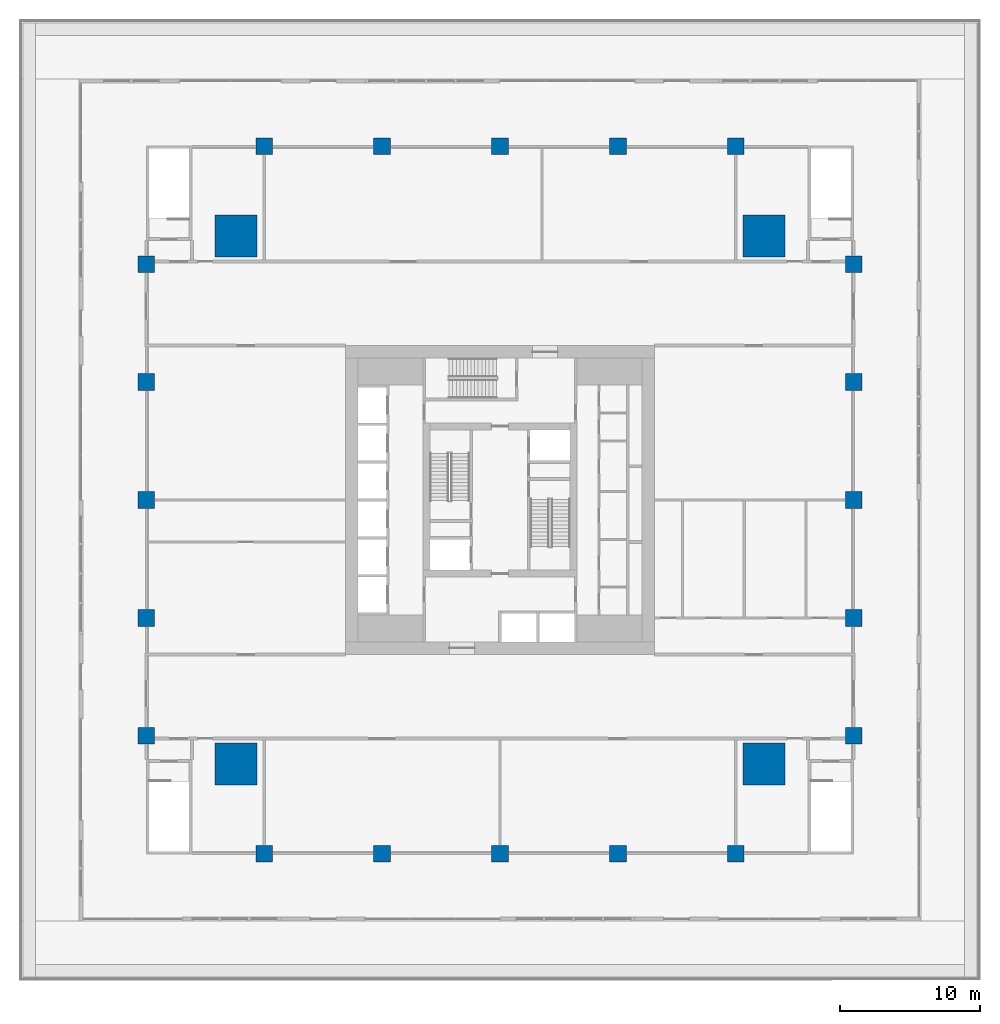
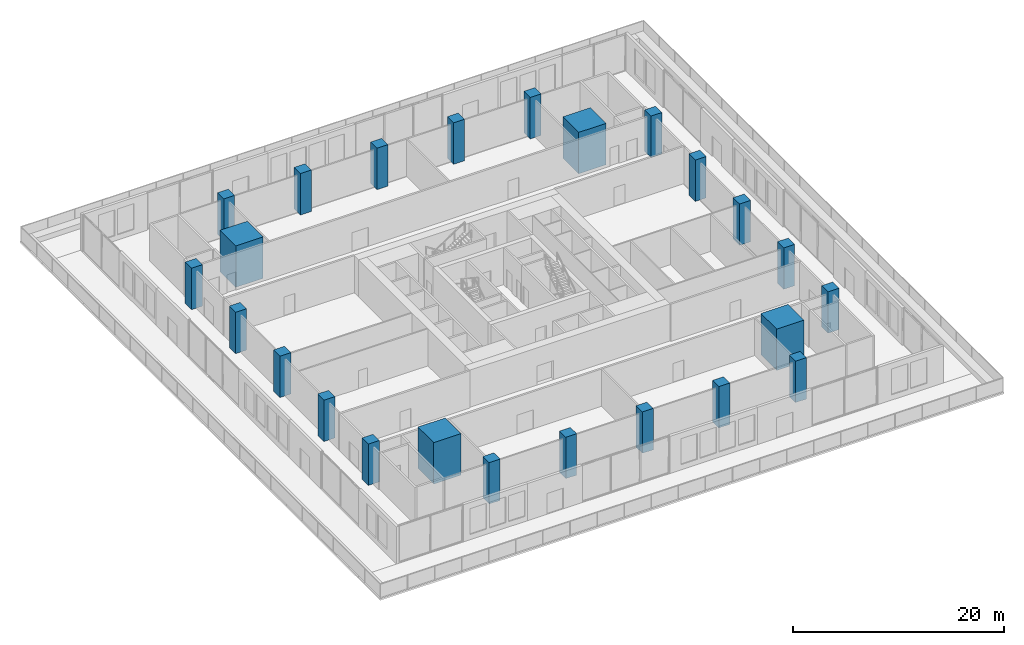
# One storey, part 1 of 22: 24 columns.
"""IFC4 building model written with IfcOpenShell, lengths in metres."""

from ifc_helpers import new_model, si_unit, direction, frame, origin, origin_2d, place, context, subcontext, project, spatial, rectangle, extrude, material, material_profile, profile_set, type_object, element, save


model = new_model("IFC4")

# Units and contexts
model_context = context("Model", 3, precision=1e-05, world=origin(), true_north=direction((0.0, 1.0)))
body_context = subcontext(model_context, "Body", "Model", "MODEL_VIEW")
ifc_project = project(units=[si_unit("LENGTHUNIT", "METRE"), si_unit("AREAUNIT", "SQUARE_METRE"), si_unit("VOLUMEUNIT", "CUBIC_METRE"), si_unit("PLANEANGLEUNIT", "RADIAN"), si_unit("MASSUNIT", "GRAM", prefix="KILO")], contexts=[model_context])

# Site, building, storey
site_placement = place(None, origin())
site = spatial("IfcSite", under=ifc_project, at=site_placement, CompositionType="ELEMENT")
building_placement = place(site_placement, origin())
building = spatial("IfcBuilding", under=site, at=building_placement, Name="Khepri Terraces", CompositionType="ELEMENT")
storey_placement = place(building_placement, frame((0.0, 0.0, 22.199951171875)))
storey = spatial("IfcBuildingStorey", under=building, at=storey_placement, Name="L04", CompositionType="ELEMENT", Elevation=22.199951171875)

# Columns
ifc_material = material(Name="Concrete C80/95", Category="concrete")
ifc_material_profile_1 = material_profile(ifc_material, rectangle(XDim=3.0, YDim=3.0, at=origin_2d()), Name="Concrete C80/95", Category="concrete")
ifc_profile_set_1 = profile_set([ifc_material_profile_1], Name="Concrete C80/95")
column_type_1 = type_object("IfcColumnType", Name="Mega column RC 3000x3000 C80/95", PredefinedType="COLUMN", material=ifc_profile_set_1)
for number, where, z_axis, x_axis, name in (
    (1, (18.800048828125, 18.800048828125, 0.0), (0.0, 0.0, 1.0), (1.0, 0.0, 0.0), "Mega column MEN L04"),
    (2, (18.800048828125, -18.800048828125, 0.0), (0.0, 0.0, 1.0), (1.0, 0.0, 0.0), "Mega column MES L04"),
    (3, (-18.800048828125, 18.800048828125, 0.0), (0.0, 0.0, 1.0), (1.0, 0.0, 0.0), "Mega column MWN L04"),
    (4, (-18.800048828125, -18.800048828125, 0.0), (0.0, 0.0, 1.0), (1.0, 0.0, 0.0), "Mega column MWS L04"),
):
    element("IfcColumn", number, at=place(storey_placement, frame(where, z_axis=z_axis, x_axis=x_axis)), inside=storey, type_object=column_type_1, Name=name, PredefinedType="COLUMN", context=body_context, shape_type="SweptSolid", body=[
        extrude(rectangle(XDim=3.0, YDim=3.0, at=origin_2d()), origin(), (0.0, 0.0, 1.0), 4.800048828125),
    ])
ifc_material_profile_2 = material_profile(ifc_material, rectangle(XDim=1.199951171875, YDim=1.199951171875, at=origin_2d()), Name="Concrete C80/95", Category="concrete")
ifc_profile_set_2 = profile_set([ifc_material_profile_2], Name="Concrete C80/95")
column_type_2 = type_object("IfcColumnType", Name="Tower column RC 1200x1200 C80/95", PredefinedType="COLUMN", material=ifc_profile_set_2)
for number, where, z_axis, x_axis, name in (
    (5, (25.199951171875, 0.0, 0.0), (0.0, 0.0, 1.0), (1.0, 0.0, 0.0), "Perimeter column PE+000a L04"),
    (6, (25.199951171875, 8.39990234375, 0.0), (0.0, 0.0, 1.0), (1.0, 0.0, 0.0), "Perimeter column PE+084a L04"),
    (7, (25.199951171875, 16.800048828125, 0.0), (0.0, 0.0, 1.0), (1.0, 0.0, 0.0), "Perimeter column PE+168a L04"),
    (8, (25.199951171875, -8.39990234375, 0.0), (0.0, 0.0, 1.0), (1.0, 0.0, 0.0), "Perimeter column PE-084a L04"),
    (9, (25.199951171875, -16.800048828125, 0.0), (0.0, 0.0, 1.0), (1.0, 0.0, 0.0), "Perimeter column PE-168a L04"),
    (10, (0.0, 25.199951171875, 0.0), (0.0, 0.0, 1.0), (1.0, 0.0, 0.0), "Perimeter column PN+000a L04"),
    (11, (-8.39990234375, 25.199951171875, 0.0), (0.0, 0.0, 1.0), (1.0, 0.0, 0.0), "Perimeter column PN+084a L04"),
    (12, (-16.800048828125, 25.199951171875, 0.0), (0.0, 0.0, 1.0), (1.0, 0.0, 0.0), "Perimeter column PN+168a L04"),
    (13, (8.39990234375, 25.199951171875, 0.0), (0.0, 0.0, 1.0), (1.0, 0.0, 0.0), "Perimeter column PN-084a L04"),
    (14, (16.800048828125, 25.199951171875, 0.0), (0.0, 0.0, 1.0), (1.0, 0.0, 0.0), "Perimeter column PN-168a L04"),
    (15, (0.0, -25.199951171875, 0.0), (0.0, 0.0, 1.0), (1.0, 0.0, 0.0), "Perimeter column PS+000a L04"),
    (16, (8.39990234375, -25.199951171875, 0.0), (0.0, 0.0, 1.0), (1.0, 0.0, 0.0), "Perimeter column PS+084a L04"),
    (17, (16.800048828125, -25.199951171875, 0.0), (0.0, 0.0, 1.0), (1.0, 0.0, 0.0), "Perimeter column PS+168a L04"),
    (18, (-8.39990234375, -25.199951171875, 0.0), (0.0, 0.0, 1.0), (1.0, 0.0, 0.0), "Perimeter column PS-084a L04"),
    (19, (-16.800048828125, -25.199951171875, 0.0), (0.0, 0.0, 1.0), (1.0, 0.0, 0.0), "Perimeter column PS-168a L04"),
    (20, (-25.199951171875, 0.0, 0.0), (0.0, 0.0, 1.0), (1.0, 0.0, 0.0), "Perimeter column PW+000a L04"),
    (21, (-25.199951171875, -8.39990234375, 0.0), (0.0, 0.0, 1.0), (1.0, 0.0, 0.0), "Perimeter column PW+084a L04"),
    (22, (-25.199951171875, -16.800048828125, 0.0), (0.0, 0.0, 1.0), (1.0, 0.0, 0.0), "Perimeter column PW+168a L04"),
    (23, (-25.199951171875, 8.39990234375, 0.0), (0.0, 0.0, 1.0), (1.0, 0.0, 0.0), "Perimeter column PW-084a L04"),
    (24, (-25.199951171875, 16.800048828125, 0.0), (0.0, 0.0, 1.0), (1.0, 0.0, 0.0), "Perimeter column PW-168a L04"),
):
    element("IfcColumn", number, at=place(storey_placement, frame(where, z_axis=z_axis, x_axis=x_axis)), inside=storey, type_object=column_type_2, Name=name, PredefinedType="COLUMN", context=body_context, shape_type="SweptSolid", body=[
        extrude(rectangle(XDim=1.199951171875, YDim=1.199951171875, at=origin_2d()), origin(), (0.0, 0.0, 1.0), 4.800048828125),
    ])

save(model, "model.ifc")
